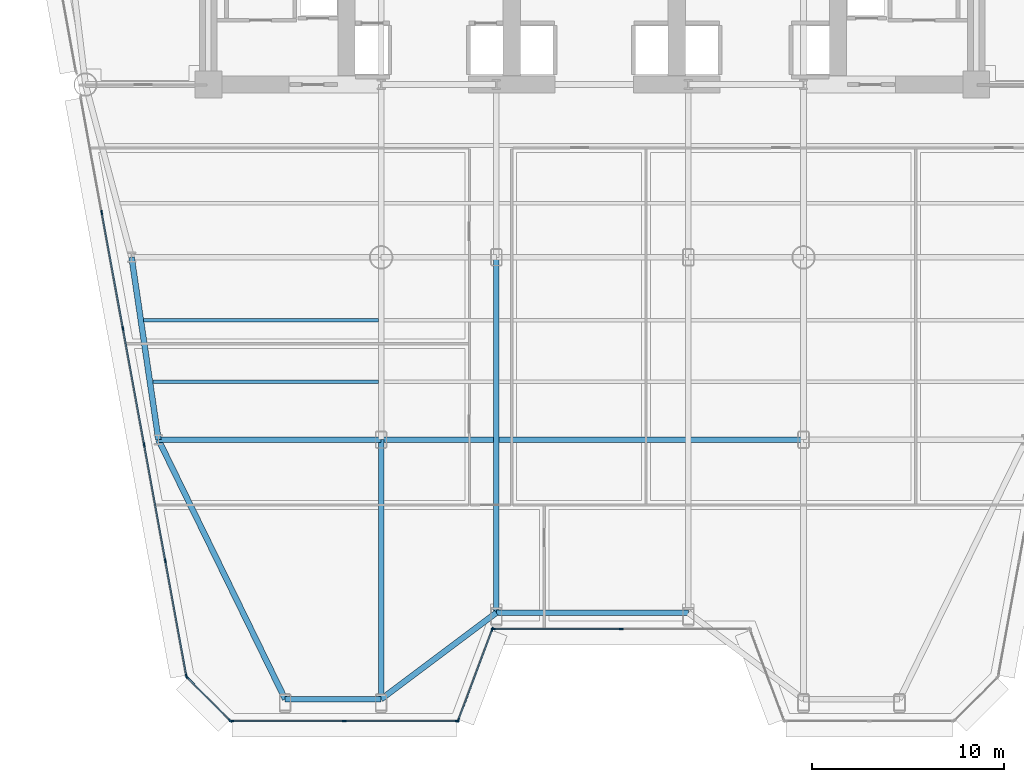
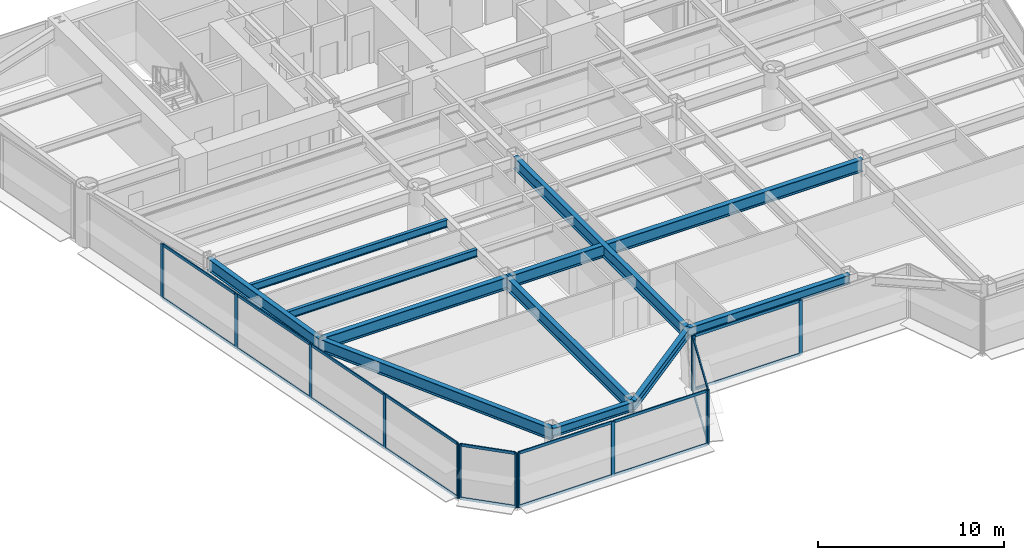
# One storey, part 2 of 14: 32 members, 11 beams, 5 elements without a shape of their own.
"""IFC4 building model written with IfcOpenShell, lengths in metres."""

from ifc_helpers import new_model, si_unit, direction, frame, origin, origin_2d, place, context, subcontext, project, spatial, rectangle, i_section, extrude, source, transform, mapped, material, layer, layer_set, material_profile, profile_set, type_object, element, aggregate, save


model = new_model("IFC4")

# Units and contexts
model_context = context("Model", 3, precision=1e-05, world=origin(), true_north=direction((0.0, 1.0)))
body_context = subcontext(model_context, "Body", "Model", "MODEL_VIEW")
ifc_project = project(units=[si_unit("LENGTHUNIT", "METRE"), si_unit("AREAUNIT", "SQUARE_METRE"), si_unit("VOLUMEUNIT", "CUBIC_METRE"), si_unit("PLANEANGLEUNIT", "RADIAN"), si_unit("MASSUNIT", "GRAM", prefix="KILO")], contexts=[model_context])

# Site, building, storey
site_placement = place(None, origin())
site = spatial("IfcSite", under=ifc_project, at=site_placement, CompositionType="ELEMENT")
building_placement = place(site_placement, origin())
building = spatial("IfcBuilding", under=site, at=building_placement, Name="Vaeldorn Concourse Tower", CompositionType="ELEMENT")
storey_placement = place(building_placement, frame((0.0, 0.0, 72.0)))
storey = spatial("IfcBuildingStorey", under=building, at=storey_placement, Name="L18", CompositionType="ELEMENT", Elevation=72.0)

# Beams
ifc_material_1 = material(Name="Steel S355", Category="steel")
ifc_material_profile_1 = material_profile(ifc_material_1, i_section(OverallWidth=0.300048828125, OverallDepth=0.60009765625, WebThickness=0.015380859375, FlangeThickness=0.030029296875, FilletRadius=0.027099609375, at=origin_2d()), Name="HEB 600")
ifc_profile_set_1 = profile_set([ifc_material_profile_1], Name="Steel S355")
beam_type_1 = type_object("IfcBeamType", Name="BM-SP-HEB600", PredefinedType="SPANDREL", material=ifc_profile_set_1)
shared_shape_1 = source(origin(), body_context, "Body", "SweptSolid", [
    extrude(i_section(OverallWidth=0.300048828125, OverallDepth=0.60009765625, WebThickness=0.015380859375, FlangeThickness=0.030029296875, FilletRadius=0.027099609375, at=origin_2d()), origin(), (0.0, 0.0, 1.0), 5.0),
])
beam_1_placement = place(storey_placement, frame((18.0, 4.486083984375, 3.280029296875), z_axis=(1.0, 0.0, 0.0), x_axis=(0.0, 1.0, 0.0)))
element("IfcBeam", 1, at=beam_1_placement, inside=storey, type_object=beam_type_1, Name="Beam BM-L18-C-SF1-C-SF2", PredefinedType="SPANDREL", context=body_context, shape_type="MappedRepresentation", body=[
    mapped(shared_shape_1, transform((0.0, 0.0, 0.0), scale=1.0)),
])
shared_shape_2 = source(origin(), body_context, "Body", "SweptSolid", [
    extrude(i_section(OverallWidth=0.300048828125, OverallDepth=0.60009765625, WebThickness=0.015380859375, FlangeThickness=0.030029296875, FilletRadius=0.027099609375, at=origin_2d()), origin(), (0.0, 0.0, 1.0), 7.5),
])
beam_2_placement = place(storey_placement, frame((23.0, 4.486083984375, 3.280029296875), z_axis=(0.8, 0.6, 0.0), x_axis=(-0.6, 0.8, 0.0)))
element("IfcBeam", 2, at=beam_2_placement, inside=storey, type_object=beam_type_1, Name="Beam BM-L18-C-SF2-C-SF3", PredefinedType="SPANDREL", context=body_context, shape_type="MappedRepresentation", body=[
    mapped(shared_shape_2, transform((0.0, 0.0, 0.0), scale=1.0)),
])
shared_shape_3 = source(origin(), body_context, "Body", "SweptSolid", [
    extrude(i_section(OverallWidth=0.300048828125, OverallDepth=0.60009765625, WebThickness=0.015380859375, FlangeThickness=0.030029296875, FilletRadius=0.027099609375, at=origin_2d()), origin(), (0.0, 0.0, 1.0), 10.0),
])
beam_3_placement = place(storey_placement, frame((29.0, 8.986083984375, 3.280029296875), z_axis=(1.0, 0.0, 0.0), x_axis=(0.0, 1.0, 0.0)))
element("IfcBeam", 3, at=beam_3_placement, inside=storey, type_object=beam_type_1, Name="Beam BM-L18-C-SF3-C-SF4", PredefinedType="SPANDREL", context=body_context, shape_type="MappedRepresentation", body=[
    mapped(shared_shape_3, transform((0.0, 0.0, 0.0), scale=1.0)),
])
ifc_material_profile_2 = material_profile(ifc_material_1, i_section(OverallWidth=0.300048828125, OverallDepth=0.800048828125, WebThickness=0.017578125, FlangeThickness=0.032958984375, FilletRadius=0.030029296875, at=origin_2d()), Name="HEB 800")
ifc_profile_set_2 = profile_set([ifc_material_profile_2], Name="Steel S355")
beam_type_2 = type_object("IfcBeamType", Name="BM-PG-HEB800", PredefinedType="BEAM", material=ifc_profile_set_2)
shared_shape_4 = source(origin(), body_context, "Body", "SweptSolid", [
    extrude(i_section(OverallWidth=0.300048828125, OverallDepth=0.800048828125, WebThickness=0.017578125, FlangeThickness=0.032958984375, FilletRadius=0.030029296875, at=origin_2d()), origin(), (0.0, 0.0, 1.0), 9.6025390625),
])
beam_4_placement = place(storey_placement, frame((10.0, 27.5, 3.179931640625), z_axis=(0.145783835977, -0.989316467652, 0.0), x_axis=(0.989316467652, 0.145783835977, 0.0)))
element("IfcBeam", 4, at=beam_4_placement, inside=storey, type_object=beam_type_2, Name="Beam BM-L18-C-FLW1-C-FLW2", PredefinedType="BEAM", context=body_context, shape_type="MappedRepresentation", body=[
    mapped(shared_shape_4, transform((0.0, 0.0, 0.0), scale=1.0)),
])
shared_shape_5 = source(origin(), body_context, "Body", "SweptSolid", [
    extrude(i_section(OverallWidth=0.300048828125, OverallDepth=0.800048828125, WebThickness=0.017578125, FlangeThickness=0.032958984375, FilletRadius=0.030029296875, at=origin_2d()), origin(), (0.0, 0.0, 1.0), 11.60009765625),
])
beam_5_placement = place(storey_placement, frame((11.39990234375, 18.0, 3.179931640625), z_axis=(1.0, 0.0, 0.0), x_axis=(0.0, 1.0, 0.0)))
element("IfcBeam", 5, at=beam_5_placement, inside=storey, type_object=beam_type_2, Name="Beam BM-L18-C-FLW2-C-TW5", PredefinedType="BEAM", context=body_context, shape_type="MappedRepresentation", body=[
    mapped(shared_shape_5, transform((0.0, 0.0, 0.0), scale=1.0)),
])
shared_shape_6 = source(origin(), body_context, "Body", "SweptSolid", [
    extrude(i_section(OverallWidth=0.300048828125, OverallDepth=0.800048828125, WebThickness=0.017578125, FlangeThickness=0.032958984375, FilletRadius=0.030029296875, at=origin_2d()), origin(), (0.0, 0.0, 1.0), 22.0),
])
beam_6_placement = place(storey_placement, frame((23.0, 18.0, 3.179931640625), z_axis=(1.0, 0.0, 0.0), x_axis=(0.0, 1.0, 0.0)))
element("IfcBeam", 6, at=beam_6_placement, inside=storey, type_object=beam_type_2, Name="Beam BM-L18-C-TW5-C-TW6", PredefinedType="BEAM", context=body_context, shape_type="MappedRepresentation", body=[
    mapped(shared_shape_6, transform((0.0, 0.0, 0.0), scale=1.0)),
])
shared_shape_7 = source(origin(), body_context, "Body", "SweptSolid", [
    extrude(i_section(OverallWidth=0.300048828125, OverallDepth=0.800048828125, WebThickness=0.017578125, FlangeThickness=0.032958984375, FilletRadius=0.030029296875, at=origin_2d()), origin(), (0.0, 0.0, 1.0), 15.03955078125),
])
beam_7_placement = place(storey_placement, frame((18.0, 4.486083984375, 3.179931640625), z_axis=(-0.438850234471, 0.898560221524, 0.0), x_axis=(-0.898560221524, -0.438850234471, 0.0)))
element("IfcBeam", 7, at=beam_7_placement, inside=storey, type_object=beam_type_2, Name="Beam BM-L18-C-SF1-C-FLW2", PredefinedType="BEAM", context=body_context, shape_type="MappedRepresentation", body=[
    mapped(shared_shape_7, transform((0.0, 0.0, 0.0), scale=1.0)),
])
shared_shape_8 = source(origin(), body_context, "Body", "SweptSolid", [
    extrude(i_section(OverallWidth=0.300048828125, OverallDepth=0.800048828125, WebThickness=0.017578125, FlangeThickness=0.032958984375, FilletRadius=0.030029296875, at=origin_2d()), origin(), (0.0, 0.0, 1.0), 13.513916015625),
])
beam_8_placement = place(storey_placement, frame((23.0, 4.486083984375, 3.179931640625), z_axis=(0.0, 1.0, 0.0), x_axis=(-1.0, 0.0, 0.0)))
element("IfcBeam", 8, at=beam_8_placement, inside=storey, type_object=beam_type_2, Name="Beam BM-L18-C-SF2-C-TW5", PredefinedType="BEAM", context=body_context, shape_type="MappedRepresentation", body=[
    mapped(shared_shape_8, transform((0.0, 0.0, 0.0), scale=1.0)),
])
shared_shape_9 = source(origin(), body_context, "Body", "SweptSolid", [
    extrude(i_section(OverallWidth=0.300048828125, OverallDepth=0.800048828125, WebThickness=0.017578125, FlangeThickness=0.032958984375, FilletRadius=0.030029296875, at=origin_2d()), origin(), (0.0, 0.0, 1.0), 18.513916015625),
])
beam_9_placement = place(storey_placement, frame((29.0, 8.986083984375, 3.179931640625), z_axis=(0.0, 1.0, 0.0), x_axis=(-1.0, 0.0, 0.0)))
element("IfcBeam", 9, at=beam_9_placement, inside=storey, type_object=beam_type_2, Name="Beam BM-L18-C-SF3-C-TW2", PredefinedType="BEAM", context=body_context, shape_type="MappedRepresentation", body=[
    mapped(shared_shape_9, transform((0.0, 0.0, 0.0), scale=1.0)),
])
ifc_material_profile_3 = material_profile(ifc_material_1, i_section(OverallWidth=0.199951171875, OverallDepth=0.5, WebThickness=0.01025390625, FlangeThickness=0.01611328125, FilletRadius=0.02099609375, at=origin_2d()), Name="IPE 500")
ifc_profile_set_3 = profile_set([ifc_material_profile_3], Name="Steel S355")
beam_type_3 = type_object("IfcBeamType", Name="BM-JS-IPE500", PredefinedType="JOIST", material=ifc_profile_set_3)
shared_shape_10 = source(origin(), body_context, "Body", "SweptSolid", [
    extrude(i_section(OverallWidth=0.199951171875, OverallDepth=0.5, WebThickness=0.01025390625, FlangeThickness=0.01611328125, FilletRadius=0.02099609375, at=origin_2d()), origin(), (0.0, 0.0, 1.0), 11.7451171875),
])
beam_10_placement = place(storey_placement, frame((11.10498046875, 21.02001953125, 3.330078125), z_axis=(1.0, 0.0, 0.0), x_axis=(0.0, 1.0, 0.0)))
element("IfcBeam", 10, at=beam_10_placement, inside=storey, type_object=beam_type_3, Name="Beam JS-L18-W1-210", PredefinedType="JOIST", context=body_context, shape_type="MappedRepresentation", body=[
    mapped(shared_shape_10, transform((0.0, 0.0, 0.0), scale=1.0)),
])
shared_shape_11 = source(origin(), body_context, "Body", "SweptSolid", [
    extrude(i_section(OverallWidth=0.199951171875, OverallDepth=0.5, WebThickness=0.01025390625, FlangeThickness=0.01611328125, FilletRadius=0.02099609375, at=origin_2d()), origin(), (0.0, 0.0, 1.0), 12.216796875),
])
beam_11_placement = place(storey_placement, frame((10.63330078125, 24.219970703125, 3.330078125), z_axis=(1.0, 0.0, 0.0), x_axis=(0.0, 1.0, 0.0)))
element("IfcBeam", 11, at=beam_11_placement, inside=storey, type_object=beam_type_3, Name="Beam JS-L18-W1-242", PredefinedType="JOIST", context=body_context, shape_type="MappedRepresentation", body=[
    mapped(shared_shape_11, transform((0.0, 0.0, 0.0), scale=1.0)),
])

# Curtain wall, members
ifc_material_2 = material(Name="Anodised Bronze Aluminium", Category="aluminium")
ifc_layer = layer(ifc_material_2, 0.219970703125)
ifc_layer_set = layer_set([ifc_layer], Name="Anodised Bronze Aluminium")
curtain_wall_type = type_object("IfcCurtainWallType", Name="CW-SYS-01", PredefinedType="NOTDEFINED", material=ifc_layer_set)
curtain_wall_1_placement = place(storey_placement, origin())
curtain_wall_1 = element("IfcCurtainWall", 12, at=curtain_wall_1_placement, inside=storey, type_object=curtain_wall_type, Name="Unitised Curtain Wall CW-L18-E03-1", PredefinedType="NOTDEFINED")
ifc_material_profile_4 = material_profile(ifc_material_2, rectangle(XDim=0.074951171875, YDim=0.179931640625, at=origin_2d()), Name="CWT 75x180")
ifc_profile_set_4 = profile_set([ifc_material_profile_4], Name="Anodised Bronze Aluminium")
member_type_1 = type_object("IfcMemberType", Name="CWT-BRONZE-180", PredefinedType="USERDEFINED", material=ifc_profile_set_4)
shared_shape_12 = source(origin(), body_context, "Body", "SweptSolid", [
    extrude(rectangle(XDim=0.074951171875, YDim=0.179931640625, at=origin_2d()), origin(), (0.0, 0.0, 1.0), 6.58740234375),
])
member_1_placement = place(storey_placement, frame((28.875, 8.147216796875, 0.03759765625), z_axis=(1.0, 0.0, 0.0), x_axis=(0.0, 1.0, 0.0)))
member_1 = element("IfcMember", 13, at=member_1_placement, type_object=member_type_1, Name="CW-01 transom 1.1", ObjectType="TRANSOM", PredefinedType="USERDEFINED", context=body_context, shape_type="MappedRepresentation", body=[
    mapped(shared_shape_12, transform((0.0, 0.0, 0.0), scale=1.0)),
])
member_2_placement = place(storey_placement, frame((28.875, 8.147216796875, 3.54248046875), z_axis=(1.0, 0.0, 0.0), x_axis=(0.0, 1.0, 0.0)))
member_2 = element("IfcMember", 14, at=member_2_placement, type_object=member_type_1, Name="CW-01 transom 1.2", ObjectType="TRANSOM", PredefinedType="USERDEFINED", context=body_context, shape_type="MappedRepresentation", body=[
    mapped(shared_shape_12, transform((0.0, 0.0, 0.0), scale=1.0)),
])

curtain_wall_2_placement = place(storey_placement, origin())
curtain_wall_2 = element("IfcCurtainWall", 15, at=curtain_wall_2_placement, inside=storey, type_object=curtain_wall_type, Name="Unitised Curtain Wall CW-L18-E02-1", PredefinedType="NOTDEFINED")
shared_shape_13 = source(origin(), body_context, "Body", "SweptSolid", [
    extrude(rectangle(XDim=0.074951171875, YDim=0.179931640625, at=origin_2d()), origin(), (0.0, 0.0, 1.0), 4.9765625),
])
member_3_placement = place(storey_placement, frame((27.0263671875, 3.417236328125, 0.03759765625), z_axis=(0.351112688987, 0.936333209724, 0.0), x_axis=(-0.936333209724, 0.351112688987, 0.0)))
member_3 = element("IfcMember", 16, at=member_3_placement, type_object=member_type_1, Name="CW-01 transom 1.1", ObjectType="TRANSOM", PredefinedType="USERDEFINED", context=body_context, shape_type="MappedRepresentation", body=[
    mapped(shared_shape_13, transform((0.0, 0.0, 0.0), scale=1.0)),
])
member_4_placement = place(storey_placement, frame((27.0263671875, 3.417236328125, 3.54248046875), z_axis=(0.351112688987, 0.936333209724, 0.0), x_axis=(-0.936333209724, 0.351112688987, 0.0)))
member_4 = element("IfcMember", 17, at=member_4_placement, type_object=member_type_1, Name="CW-01 transom 1.2", ObjectType="TRANSOM", PredefinedType="USERDEFINED", context=body_context, shape_type="MappedRepresentation", body=[
    mapped(shared_shape_13, transform((0.0, 0.0, 0.0), scale=1.0)),
])

curtain_wall_3_placement = place(storey_placement, origin())
curtain_wall_3 = element("IfcCurtainWall", 18, at=curtain_wall_3_placement, inside=storey, type_object=curtain_wall_type, Name="Unitised Curtain Wall CW-L18-E01-1", PredefinedType="NOTDEFINED")
ifc_material_profile_5 = material_profile(ifc_material_2, rectangle(XDim=0.074951171875, YDim=0.219970703125, at=origin_2d()), Name="CWM 75x220")
ifc_profile_set_5 = profile_set([ifc_material_profile_5], Name="Anodised Bronze Aluminium")
member_type_2 = type_object("IfcMemberType", Name="CWM-BRONZE-220", PredefinedType="MULLION", material=ifc_profile_set_5)
shared_shape_14 = source(origin(), body_context, "Body", "SweptSolid", [
    extrude(rectangle(XDim=0.074951171875, YDim=0.219970703125, at=origin_2d()), origin(), (0.0, 0.0, 1.0), 3.580078125),
])
member_5_placement = place(storey_placement, frame((15.2001953125, 3.34716796875, 0.0), z_axis=(0.0, 0.0, 1.0), x_axis=(0.0, 1.0, 0.0)))
member_5 = element("IfcMember", 19, at=member_5_placement, type_object=member_type_2, Name="CW-01 mullion 1", PredefinedType="MULLION", context=body_context, shape_type="MappedRepresentation", body=[
    mapped(shared_shape_14, transform((0.0, 0.0, 0.0), scale=1.0)),
])
member_6_placement = place(storey_placement, frame((21.081298828125, 3.34716796875, 0.0), z_axis=(0.0, 0.0, 1.0), x_axis=(0.0, 1.0, 0.0)))
member_6 = element("IfcMember", 20, at=member_6_placement, type_object=member_type_2, Name="CW-01 mullion 2", PredefinedType="MULLION", context=body_context, shape_type="MappedRepresentation", body=[
    mapped(shared_shape_14, transform((0.0, 0.0, 0.0), scale=1.0)),
])
member_7_placement = place(storey_placement, frame((26.96240234375, 3.34716796875, 0.0), z_axis=(0.0, 0.0, 1.0), x_axis=(0.0, 1.0, 0.0)))
member_7 = element("IfcMember", 21, at=member_7_placement, type_object=member_type_2, Name="CW-01 mullion 3", PredefinedType="MULLION", context=body_context, shape_type="MappedRepresentation", body=[
    mapped(shared_shape_14, transform((0.0, 0.0, 0.0), scale=1.0)),
])

# Member
member_8_placement = place(storey_placement, frame((27.01318359375, 3.38232421875, 0.0), z_axis=(0.0, 0.0, 1.0), x_axis=(-0.936329177566, 0.351123441595, 0.0)))
member_8 = element("IfcMember", 22, at=member_8_placement, type_object=member_type_2, Name="CW-01 mullion 1", PredefinedType="MULLION", context=body_context, shape_type="MappedRepresentation", body=[
    mapped(shared_shape_14, transform((0.0, 0.0, 0.0), scale=1.0)),
])

member_9_placement = place(storey_placement, frame((28.786865234375, 8.112060546875, 0.0), z_axis=(0.0, 0.0, 1.0), x_axis=(-0.936329177566, 0.351123441595, 0.0)))
member_9 = element("IfcMember", 23, at=member_9_placement, type_object=member_type_2, Name="CW-01 mullion 2", PredefinedType="MULLION", context=body_context, shape_type="MappedRepresentation", body=[
    mapped(shared_shape_14, transform((0.0, 0.0, 0.0), scale=1.0)),
])

aggregate(curtain_wall_2, [member_8, member_9, member_3, member_4])

member_10_placement = place(storey_placement, frame((28.83740234375, 8.147216796875, 0.0), z_axis=(0.0, 0.0, 1.0), x_axis=(0.0, 1.0, 0.0)))
member_10 = element("IfcMember", 24, at=member_10_placement, type_object=member_type_2, Name="CW-01 mullion 1", PredefinedType="MULLION", context=body_context, shape_type="MappedRepresentation", body=[
    mapped(shared_shape_14, transform((0.0, 0.0, 0.0), scale=1.0)),
])

member_11_placement = place(storey_placement, frame((35.5, 8.147216796875, 0.0), z_axis=(0.0, 0.0, 1.0), x_axis=(0.0, 1.0, 0.0)))
member_11 = element("IfcMember", 25, at=member_11_placement, type_object=member_type_2, Name="CW-01 mullion 2", PredefinedType="MULLION", context=body_context, shape_type="MappedRepresentation", body=[
    mapped(shared_shape_14, transform((0.0, 0.0, 0.0), scale=1.0)),
])

aggregate(curtain_wall_1, [member_10, member_11, member_1, member_2])

# Curtain wall, members
curtain_wall_4_placement = place(storey_placement, origin())
curtain_wall_4 = element("IfcCurtainWall", 26, at=curtain_wall_4_placement, inside=storey, type_object=curtain_wall_type, Name="Unitised Curtain Wall CW-L18-E11-2", PredefinedType="NOTDEFINED")
member_12_placement = place(storey_placement, frame((8.445556640625, 29.833740234375, 0.0), z_axis=(0.0, 0.0, 1.0), x_axis=(0.983729199794, 0.179657622921, 0.0)))
member_12 = element("IfcMember", 27, at=member_12_placement, type_object=member_type_2, Name="CW-01 mullion 2", PredefinedType="MULLION", context=body_context, shape_type="MappedRepresentation", body=[
    mapped(shared_shape_14, transform((0.0, 0.0, 0.0), scale=1.0)),
])
member_13_placement = place(storey_placement, frame((9.5498046875, 23.787109375, 0.0), z_axis=(0.0, 0.0, 1.0), x_axis=(0.983729199794, 0.179657622921, 0.0)))
member_13 = element("IfcMember", 28, at=member_13_placement, type_object=member_type_2, Name="CW-01 mullion 3", PredefinedType="MULLION", context=body_context, shape_type="MappedRepresentation", body=[
    mapped(shared_shape_14, transform((0.0, 0.0, 0.0), scale=1.0)),
])
member_14_placement = place(storey_placement, frame((10.654052734375, 17.740478515625, 0.0), z_axis=(0.0, 0.0, 1.0), x_axis=(0.983729199794, 0.179657622921, 0.0)))
member_14 = element("IfcMember", 29, at=member_14_placement, type_object=member_type_2, Name="CW-01 mullion 4", PredefinedType="MULLION", context=body_context, shape_type="MappedRepresentation", body=[
    mapped(shared_shape_14, transform((0.0, 0.0, 0.0), scale=1.0)),
])
member_15_placement = place(storey_placement, frame((11.75830078125, 11.69384765625, 0.0), z_axis=(0.0, 0.0, 1.0), x_axis=(0.983729199794, 0.179657622921, 0.0)))
member_15 = element("IfcMember", 30, at=member_15_placement, type_object=member_type_2, Name="CW-01 mullion 5", PredefinedType="MULLION", context=body_context, shape_type="MappedRepresentation", body=[
    mapped(shared_shape_14, transform((0.0, 0.0, 0.0), scale=1.0)),
])
member_16_placement = place(storey_placement, frame((12.85595703125, 5.68408203125, 0.0), z_axis=(0.0, 0.0, 1.0), x_axis=(0.983729199794, 0.179657622921, 0.0)))
member_16 = element("IfcMember", 31, at=member_16_placement, type_object=member_type_2, Name="CW-01 mullion 6", PredefinedType="MULLION", context=body_context, shape_type="MappedRepresentation", body=[
    mapped(shared_shape_14, transform((0.0, 0.0, 0.0), scale=1.0)),
])

curtain_wall_5_placement = place(storey_placement, origin())
curtain_wall_5 = element("IfcCurtainWall", 32, at=curtain_wall_5_placement, inside=storey, type_object=curtain_wall_type, Name="Unitised Curtain Wall CW-L18-E12-1", PredefinedType="NOTDEFINED")
member_17_placement = place(storey_placement, frame((12.88916015625, 5.62060546875, 0.0), z_axis=(0.0, 0.0, 1.0), x_axis=(0.707106781187, 0.707106781187, 0.0)))
member_17 = element("IfcMember", 33, at=member_17_placement, type_object=member_type_2, Name="CW-01 mullion 1", PredefinedType="MULLION", context=body_context, shape_type="MappedRepresentation", body=[
    mapped(shared_shape_14, transform((0.0, 0.0, 0.0), scale=1.0)),
])
member_18_placement = place(storey_placement, frame((15.13623046875, 3.37353515625, 0.0), z_axis=(0.0, 0.0, 1.0), x_axis=(0.707106781187, 0.707106781187, 0.0)))
member_18 = element("IfcMember", 34, at=member_18_placement, type_object=member_type_2, Name="CW-01 mullion 2", PredefinedType="MULLION", context=body_context, shape_type="MappedRepresentation", body=[
    mapped(shared_shape_14, transform((0.0, 0.0, 0.0), scale=1.0)),
])
shared_shape_15 = source(origin(), body_context, "Body", "SweptSolid", [
    extrude(rectangle(XDim=0.074951171875, YDim=0.179931640625, at=origin_2d()), origin(), (0.0, 0.0, 1.0), 3.1025390625),
])
member_19_placement = place(storey_placement, frame((12.915771484375, 5.593994140625, 0.03759765625), z_axis=(0.707106781187, -0.707106781187, 0.0), x_axis=(0.707106781187, 0.707106781187, 0.0)))
member_19 = element("IfcMember", 35, at=member_19_placement, type_object=member_type_1, Name="CW-01 transom 1.1", ObjectType="TRANSOM", PredefinedType="USERDEFINED", context=body_context, shape_type="MappedRepresentation", body=[
    mapped(shared_shape_15, transform((0.0, 0.0, 0.0), scale=1.0)),
])
member_20_placement = place(storey_placement, frame((12.915771484375, 5.593994140625, 3.54248046875), z_axis=(0.707106781187, -0.707106781187, 0.0), x_axis=(0.707106781187, 0.707106781187, 0.0)))
member_20 = element("IfcMember", 36, at=member_20_placement, type_object=member_type_1, Name="CW-01 transom 1.2", ObjectType="TRANSOM", PredefinedType="USERDEFINED", context=body_context, shape_type="MappedRepresentation", body=[
    mapped(shared_shape_15, transform((0.0, 0.0, 0.0), scale=1.0)),
])
aggregate(curtain_wall_5, [member_17, member_18, member_19, member_20])

# Member
shared_shape_16 = source(origin(), body_context, "Body", "SweptSolid", [
    extrude(rectangle(XDim=0.074951171875, YDim=0.179931640625, at=origin_2d()), origin(), (0.0, 0.0, 1.0), 5.80615234375),
])
member_21_placement = place(storey_placement, frame((15.23779296875, 3.34716796875, 0.03759765625), z_axis=(1.0, 0.0, 0.0), x_axis=(0.0, 1.0, 0.0)))
member_21 = element("IfcMember", 37, at=member_21_placement, type_object=member_type_1, Name="CW-01 transom 1.1", ObjectType="TRANSOM", PredefinedType="USERDEFINED", context=body_context, shape_type="MappedRepresentation", body=[
    mapped(shared_shape_16, transform((0.0, 0.0, 0.0), scale=1.0)),
])

member_22_placement = place(storey_placement, frame((15.23779296875, 3.34716796875, 3.54248046875), z_axis=(1.0, 0.0, 0.0), x_axis=(0.0, 1.0, 0.0)))
member_22 = element("IfcMember", 38, at=member_22_placement, type_object=member_type_1, Name="CW-01 transom 1.2", ObjectType="TRANSOM", PredefinedType="USERDEFINED", context=body_context, shape_type="MappedRepresentation", body=[
    mapped(shared_shape_16, transform((0.0, 0.0, 0.0), scale=1.0)),
])

member_23_placement = place(storey_placement, frame((21.118896484375, 3.34716796875, 0.03759765625), z_axis=(1.0, 0.0, 0.0), x_axis=(0.0, 1.0, 0.0)))
member_23 = element("IfcMember", 39, at=member_23_placement, type_object=member_type_1, Name="CW-01 transom 2.1", ObjectType="TRANSOM", PredefinedType="USERDEFINED", context=body_context, shape_type="MappedRepresentation", body=[
    mapped(shared_shape_16, transform((0.0, 0.0, 0.0), scale=1.0)),
])

member_24_placement = place(storey_placement, frame((21.118896484375, 3.34716796875, 3.54248046875), z_axis=(1.0, 0.0, 0.0), x_axis=(0.0, 1.0, 0.0)))
member_24 = element("IfcMember", 40, at=member_24_placement, type_object=member_type_1, Name="CW-01 transom 2.2", ObjectType="TRANSOM", PredefinedType="USERDEFINED", context=body_context, shape_type="MappedRepresentation", body=[
    mapped(shared_shape_16, transform((0.0, 0.0, 0.0), scale=1.0)),
])

aggregate(curtain_wall_3, [member_5, member_6, member_7, member_21, member_22, member_23, member_24])

shared_shape_17 = source(origin(), body_context, "Body", "SweptSolid", [
    extrude(rectangle(XDim=0.074951171875, YDim=0.179931640625, at=origin_2d()), origin(), (0.0, 0.0, 1.0), 6.0341796875),
])
member_25_placement = place(storey_placement, frame((11.76513671875, 11.656982421875, 0.03759765625), z_axis=(0.179640198064, -0.983732381921, 0.0), x_axis=(0.983732381921, 0.179640198064, 0.0)))
member_25 = element("IfcMember", 41, at=member_25_placement, type_object=member_type_1, Name="CW-01 transom 5.1", ObjectType="TRANSOM", PredefinedType="USERDEFINED", context=body_context, shape_type="MappedRepresentation", body=[
    mapped(shared_shape_17, transform((0.0, 0.0, 0.0), scale=1.0)),
])

member_26_placement = place(storey_placement, frame((11.76513671875, 11.656982421875, 3.54248046875), z_axis=(0.179640198064, -0.983732381921, 0.0), x_axis=(0.983732381921, 0.179640198064, 0.0)))
member_26 = element("IfcMember", 42, at=member_26_placement, type_object=member_type_1, Name="CW-01 transom 5.2", ObjectType="TRANSOM", PredefinedType="USERDEFINED", context=body_context, shape_type="MappedRepresentation", body=[
    mapped(shared_shape_17, transform((0.0, 0.0, 0.0), scale=1.0)),
])

shared_shape_18 = source(origin(), body_context, "Body", "SweptSolid", [
    extrude(rectangle(XDim=0.074951171875, YDim=0.179931640625, at=origin_2d()), origin(), (0.0, 0.0, 1.0), 6.07177734375),
])
member_27_placement = place(storey_placement, frame((8.4521484375, 29.796875, 0.03759765625), z_axis=(0.179656765356, -0.983729356409, 0.0), x_axis=(0.983729356409, 0.179656765356, 0.0)))
member_27 = element("IfcMember", 43, at=member_27_placement, type_object=member_type_1, Name="CW-01 transom 2.1", ObjectType="TRANSOM", PredefinedType="USERDEFINED", context=body_context, shape_type="MappedRepresentation", body=[
    mapped(shared_shape_18, transform((0.0, 0.0, 0.0), scale=1.0)),
])

member_28_placement = place(storey_placement, frame((8.4521484375, 29.796875, 3.54248046875), z_axis=(0.179656765356, -0.983729356409, 0.0), x_axis=(0.983729356409, 0.179656765356, 0.0)))
member_28 = element("IfcMember", 44, at=member_28_placement, type_object=member_type_1, Name="CW-01 transom 2.2", ObjectType="TRANSOM", PredefinedType="USERDEFINED", context=body_context, shape_type="MappedRepresentation", body=[
    mapped(shared_shape_18, transform((0.0, 0.0, 0.0), scale=1.0)),
])

member_29_placement = place(storey_placement, frame((9.556640625, 23.750244140625, 0.03759765625), z_axis=(0.179656765356, -0.983729356409, 0.0), x_axis=(0.983729356409, 0.179656765356, 0.0)))
member_29 = element("IfcMember", 45, at=member_29_placement, type_object=member_type_1, Name="CW-01 transom 3.1", ObjectType="TRANSOM", PredefinedType="USERDEFINED", context=body_context, shape_type="MappedRepresentation", body=[
    mapped(shared_shape_18, transform((0.0, 0.0, 0.0), scale=1.0)),
])

member_30_placement = place(storey_placement, frame((9.556640625, 23.750244140625, 3.54248046875), z_axis=(0.179656765356, -0.983729356409, 0.0), x_axis=(0.983729356409, 0.179656765356, 0.0)))
member_30 = element("IfcMember", 46, at=member_30_placement, type_object=member_type_1, Name="CW-01 transom 3.2", ObjectType="TRANSOM", PredefinedType="USERDEFINED", context=body_context, shape_type="MappedRepresentation", body=[
    mapped(shared_shape_18, transform((0.0, 0.0, 0.0), scale=1.0)),
])

member_31_placement = place(storey_placement, frame((10.660888671875, 17.70361328125, 0.03759765625), z_axis=(0.179656765356, -0.983729356409, 0.0), x_axis=(0.983729356409, 0.179656765356, 0.0)))
member_31 = element("IfcMember", 47, at=member_31_placement, type_object=member_type_1, Name="CW-01 transom 4.1", ObjectType="TRANSOM", PredefinedType="USERDEFINED", context=body_context, shape_type="MappedRepresentation", body=[
    mapped(shared_shape_18, transform((0.0, 0.0, 0.0), scale=1.0)),
])

member_32_placement = place(storey_placement, frame((10.660888671875, 17.70361328125, 3.54248046875), z_axis=(0.179656765356, -0.983729356409, 0.0), x_axis=(0.983729356409, 0.179656765356, 0.0)))
member_32 = element("IfcMember", 48, at=member_32_placement, type_object=member_type_1, Name="CW-01 transom 4.2", ObjectType="TRANSOM", PredefinedType="USERDEFINED", context=body_context, shape_type="MappedRepresentation", body=[
    mapped(shared_shape_18, transform((0.0, 0.0, 0.0), scale=1.0)),
])

aggregate(curtain_wall_4, [member_12, member_13, member_14, member_15, member_16, member_27, member_28, member_29, member_30, member_31, member_32, member_25, member_26])

save(model, "model.ifc")
